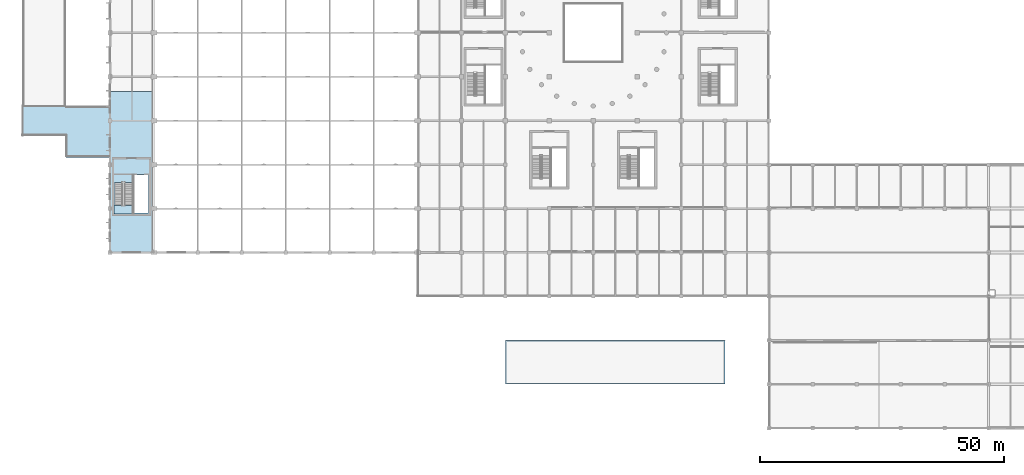
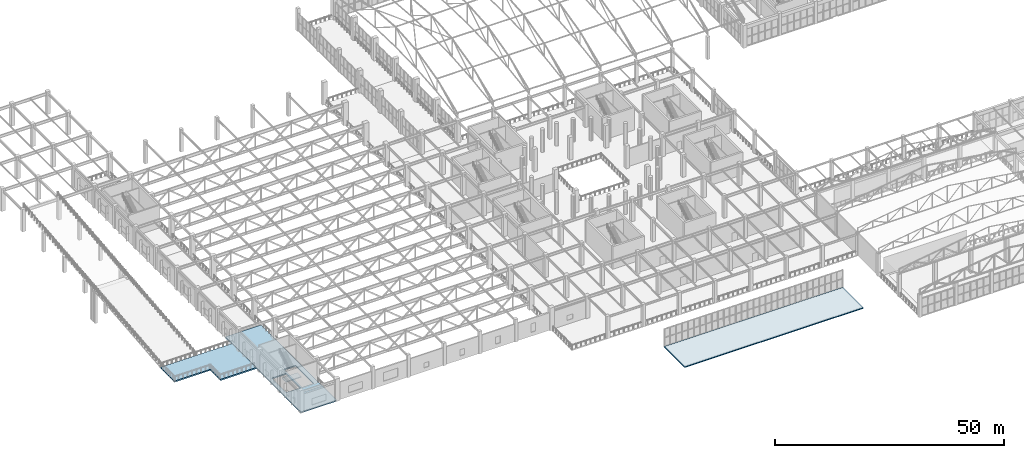
# One storey, part 169 of 223: 4 slabs, 1 element without a shape of its own.
"""IFC4 building model written with IfcOpenShell, lengths in metres."""

from ifc_helpers import new_model, si_unit, direction, frame, origin, place, context, subcontext, project, spatial, polyline, outline, extrude, material, layer, layer_set, type_object, element, aggregate, save


model = new_model("IFC4")

# Units and contexts
model_context = context("Model", 3, precision=1e-05, world=origin(), true_north=direction((0.0, 1.0)))
body_context = subcontext(model_context, "Body", "Model", "MODEL_VIEW")
ifc_project = project(units=[si_unit("LENGTHUNIT", "METRE"), si_unit("AREAUNIT", "SQUARE_METRE"), si_unit("VOLUMEUNIT", "CUBIC_METRE"), si_unit("PLANEANGLEUNIT", "RADIAN"), si_unit("MASSUNIT", "GRAM", prefix="KILO")], contexts=[model_context])

# Site, building, storey
site_placement = place(None, origin())
site = spatial("IfcSite", under=ifc_project, at=site_placement, CompositionType="ELEMENT")
building_placement = place(site_placement, origin())
building = spatial("IfcBuilding", under=site, at=building_placement, Name="Dornveld Trade and Exhibition Forum", CompositionType="ELEMENT")
storey_placement = place(building_placement, frame((0.0, 0.0, 6.0)))
storey = spatial("IfcBuildingStorey", under=building, at=storey_placement, Name="L01", CompositionType="ELEMENT", Elevation=6.0)

# Slabs
ifc_material_1 = material(Name="Concrete C40/50", Category="concrete")
ifc_layer_1 = layer(ifc_material_1, 0.219970703125)
ifc_layer_set_1 = layer_set([ifc_layer_1], Name="Concrete C40/50")
slab_type_1 = type_object("IfcSlabType", Name="SL-CANOPY-220", PredefinedType="ROOF", material=ifc_layer_set_1)
slab_1_placement = place(storey_placement, frame((0.0, 0.0, -0.219970703125)))
element("IfcSlab", 1, at=slab_1_placement, inside=storey, type_object=slab_type_1, Name="South Forecourt Entrance Canopy roof slab", PredefinedType="ROOF", context=body_context, shape_type="SweptSolid", body=[
    extrude(outline(polyline([(99.0, 9.0), (144.0, 9.0), (144.0, 18.0), (99.0, 18.0), (99.0, 9.0)])), origin(), (0.0, 0.0, 1.0), 0.219970703125),
])
ifc_material_2 = material(Name="Precast concrete C50/60", Category="concrete")
ifc_layer_2 = layer(ifc_material_2, 0.300048828125)
ifc_layer_set_2 = layer_set([ifc_layer_2], Name="Precast concrete C50/60")
slab_type_2 = type_object("IfcSlabType", Name="SL-CONC-300", PredefinedType="FLOOR", material=ifc_layer_set_2)
slab_2_placement = place(storey_placement, frame((0.0, 0.0, -0.300048828125)))
element("IfcSlab", 2, at=slab_2_placement, inside=storey, type_object=slab_type_2, Name="L01 structural slab panel 35", PredefinedType="FLOOR", context=body_context, shape_type="SweptSolid", body=[
    extrude(outline(polyline([(18.0, 36.0), (27.0, 36.0), (27.0, 69.0), (18.0, 69.0), (18.0, 36.0)]), holes=[polyline([(18.949951171875, 44.050048828125), (22.550048828125, 44.050048828125), (22.550048828125, 50.330078125), (18.949951171875, 50.330078125), (18.949951171875, 44.050048828125)]), polyline([(22.89990234375, 44.050048828125), (25.85009765625, 44.050048828125), (25.85009765625, 51.89990234375), (22.89990234375, 51.89990234375), (22.89990234375, 44.050048828125)])]), origin(), (0.0, 0.0, 1.0), 0.300048828125),
])

# Stair, slab
ifc_material_3 = material(Name="Concrete C40/50", Category="concrete")
stair_type = type_object("IfcStairType", Name="ST-2RET-600A", PredefinedType="HALF_TURN_STAIR", material=ifc_material_3)
stair_placement = place(storey_placement, origin())
stair = element("IfcStair", 3, at=stair_placement, inside=storey, type_object=stair_type, Name="CORE-09 escape stair L01 to L02", PredefinedType="HALF_TURN_STAIR")
ifc_material_4 = material(Name="Concrete C40/50", Category="concrete")
ifc_layer_3 = layer(ifc_material_4, 0.199951171875)
ifc_layer_set_3 = layer_set([ifc_layer_3], Name="Concrete C40/50")
slab_type_3 = type_object("IfcSlabType", Name="SL-LAND-200", PredefinedType="LANDING", material=ifc_layer_set_3)
slab_3_placement = place(storey_placement, frame((0.0, 0.0, 2.800048828125)))
slab_3 = element("IfcSlab", 4, at=slab_3_placement, type_object=slab_type_3, Name="ST-09-L01 landing 1", PredefinedType="LANDING", context=body_context, shape_type="SweptSolid", body=[
    extrude(outline(polyline([(18.77490234375, 43.875), (22.6201171875, 43.875), (22.6201171875, 45.614990234375), (18.77490234375, 45.614990234375), (18.77490234375, 43.875)])), origin(), (0.0, 0.0, 1.0), 0.199951171875),
])
aggregate(stair, [slab_3])

# Slab
ifc_material_5 = material(Name="Concrete C40/50", Category="concrete")
ifc_layer_4 = layer(ifc_material_5, 0.340087890625)
ifc_layer_set_4 = layer_set([ifc_layer_4], Name="Concrete C40/50")
slab_type_4 = type_object("IfcSlabType", Name="SL-RAMP-340", PredefinedType="FLOOR", material=ifc_layer_set_4)
slab_4_placement = place(storey_placement, frame((0.0, 0.0, -0.340087890625)))
element("IfcSlab", 5, at=slab_4_placement, inside=storey, type_object=slab_type_4, Name="HGV viaduct intermediate landing slab", PredefinedType="FLOOR", context=body_context, shape_type="SweptSolid", body=[
    extrude(outline(polyline([(0.0, 59.949951171875), (9.0, 59.949951171875), (9.0, 55.5), (18.0, 55.5), (18.0, 66.050048828125), (0.0, 66.050048828125), (0.0, 59.949951171875)])), origin(), (0.0, 0.0, 1.0), 0.340087890625),
])

save(model, "model.ifc")
